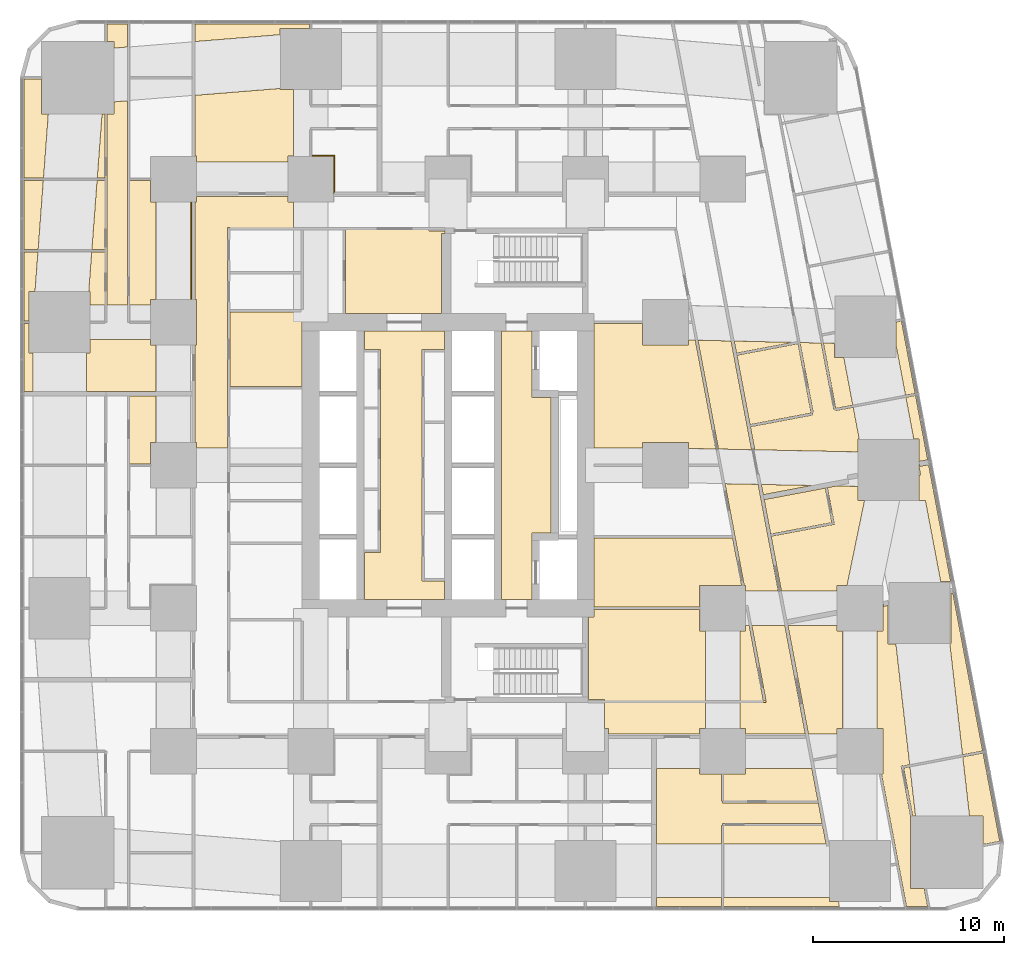
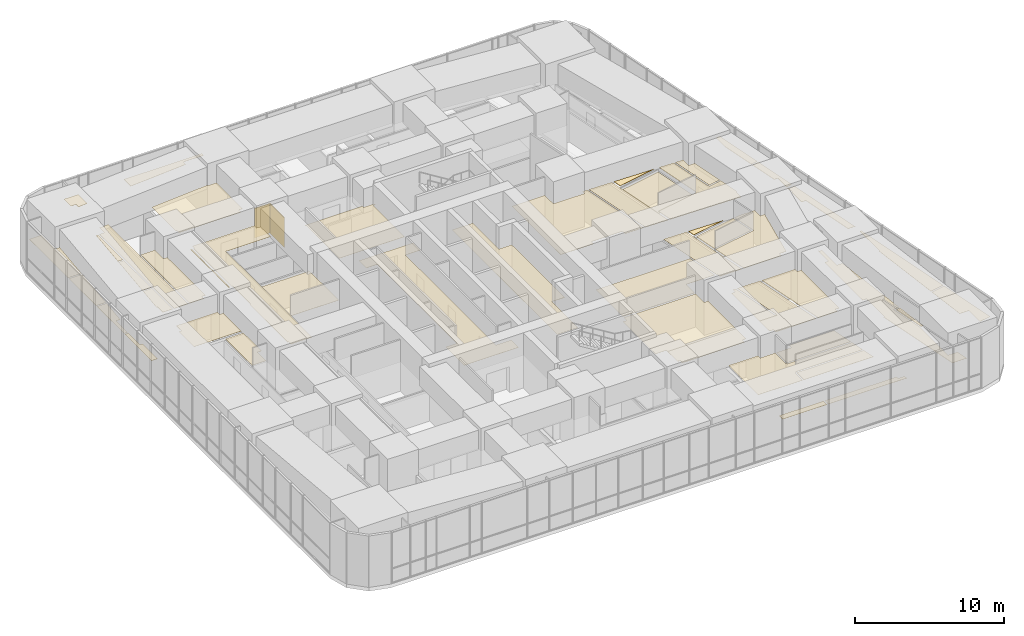
# One storey, part 22 of 23: 49 coverings.
"""IFC4 building model written with IfcOpenShell, lengths in metres."""

from ifc_helpers import new_model, si_unit, direction, frame, origin, place, context, subcontext, project, spatial, polyline, outline, extrude, material, layer, layer_set, type_object, element, save


model = new_model("IFC4")

# Units and contexts
model_context = context("Model", 3, precision=1e-05, world=origin(), true_north=direction((0.0, 1.0)))
body_context = subcontext(model_context, "Body", "Model", "MODEL_VIEW")
ifc_project = project(units=[si_unit("LENGTHUNIT", "METRE"), si_unit("AREAUNIT", "SQUARE_METRE"), si_unit("VOLUMEUNIT", "CUBIC_METRE"), si_unit("PLANEANGLEUNIT", "RADIAN"), si_unit("MASSUNIT", "GRAM", prefix="KILO")], contexts=[model_context])

# Site, building, storey
site_placement = place(None, origin())
site = spatial("IfcSite", under=ifc_project, at=site_placement, CompositionType="ELEMENT")
building_placement = place(site_placement, origin())
building = spatial("IfcBuilding", under=site, at=building_placement, Name="Sheger Commons Tower", CompositionType="ELEMENT")
storey_placement = place(building_placement, frame((0.0, 0.0, 5.60009765625)))
storey = spatial("IfcBuildingStorey", under=building, at=storey_placement, Name="L01", CompositionType="ELEMENT", Elevation=5.60009765625)

# Coverings
ifc_material_1 = material(Name="Moisture-resistant gypsum plasterboard 15 mm on a suspended galvanised steel grid", Category="steel")
ifc_layer_1 = layer(ifc_material_1, 0.014892578125)
ifc_layer_set_1 = layer_set([ifc_layer_1], Name="MOISTURE-RESISTANT CEILING 15")
covering_type_1 = type_object("IfcCoveringType", Name="MOISTURE-RESISTANT CEILING 15", PredefinedType="CEILING", material=ifc_layer_set_1)
covering_1_placement = place(storey_placement, frame((0.0, 0.0, 2.39990234375)))
element("IfcCovering", 1, at=covering_1_placement, inside=storey, type_object=covering_type_1, Name="L01-07.B1 ceiling", PredefinedType="CEILING", context=body_context, shape_type="SweptSolid", body=[
    extrude(outline(polyline([(37.43408203125, 24.6298828125), (40.64111328125, 25.236083984375), (39.952880859375, 28.876953125), (36.74609375, 28.27099609375), (37.43408203125, 24.6298828125)])), origin(), (0.0, 0.0, 1.0), 0.014892578125),
])
covering_2_placement = place(storey_placement, frame((0.0, 0.0, 2.39990234375)))
element("IfcCovering", 2, at=covering_2_placement, inside=storey, type_object=covering_type_1, Name="L01-SVW2b ceiling", PredefinedType="CEILING", context=body_context, shape_type="SweptSolid", body=[
    extrude(outline(polyline([(10.16796875, 26.616943359375), (13.949951171875, 26.616943359375), (13.949951171875, 29.544921875), (13.945068359375, 29.544921875), (13.945068359375, 30.455078125), (13.949951171875, 30.455078125), (13.949951171875, 30.60009765625), (13.89306640625, 30.60009765625), (13.89306640625, 30.532958984375), (10.16796875, 30.532958984375), (10.16796875, 26.616943359375)])), origin(), (0.0, 0.0, 1.0), 0.014892578125),
])
ifc_material_2 = material(Name="Gypsum plasterboard 15 mm on a suspended steel grid", Category="steel")
ifc_layer_2 = layer(ifc_material_2, 0.014892578125)
ifc_layer_set_2 = layer_set([ifc_layer_2], Name="SUSPENDED CEILING 15")
covering_type_2 = type_object("IfcCoveringType", Name="SUSPENDED CEILING 15", PredefinedType="CEILING", material=ifc_layer_set_2)
covering_3_placement = place(storey_placement, frame((0.0, 0.0, 2.699951171875)))
element("IfcCovering", 3, at=covering_3_placement, inside=storey, type_object=covering_type_2, Name="L01-02.B3 ceiling", PredefinedType="CEILING", context=body_context, shape_type="SweptSolid", body=[
    extrude(outline(polyline([(4.905029296875, 22.554931640625), (5.9951171875, 22.554931640625), (5.9951171875, 23.705078125), (6.294921875, 23.705078125), (6.294921875, 26.1201171875), (4.905029296875, 26.1201171875), (4.905029296875, 22.554931640625)])), origin(), (0.0, 0.0, 1.0), 0.014892578125),
])
covering_4_placement = place(storey_placement, frame((0.0, 0.0, 2.699951171875)))
element("IfcCovering", 4, at=covering_4_placement, inside=storey, type_object=covering_type_2, Name="L01-03.1 ceiling", PredefinedType="CEILING", context=body_context, shape_type="SweptSolid", body=[
    extrude(outline(polyline([(-0.64501953125, 26.3798828125), (-0.179931640625, 26.3798828125), (-0.179931640625, 28.39501953125), (-0.3798828125, 28.39501953125), (-0.3798828125, 29.945068359375), (-0.64501953125, 29.945068359375), (-0.64501953125, 26.3798828125)])), origin(), (0.0, 0.0, 1.0), 0.014892578125),
])
covering_5_placement = place(storey_placement, frame((0.0, 0.0, 2.699951171875)))
element("IfcCovering", 5, at=covering_5_placement, inside=storey, type_object=covering_type_2, Name="L01-03.1 ceiling", PredefinedType="CEILING", context=body_context, shape_type="SweptSolid", body=[
    extrude(outline(polyline([(2.6298828125, 26.3798828125), (6.294921875, 26.3798828125), (6.294921875, 28.794921875), (5.9951171875, 28.794921875), (5.9951171875, 29.094970703125), (2.830078125, 29.094970703125), (2.830078125, 28.39501953125), (2.6298828125, 28.39501953125), (2.6298828125, 26.3798828125)])), origin(), (0.0, 0.0, 1.0), 0.014892578125),
])
covering_6_placement = place(storey_placement, frame((0.0, 0.0, 2.699951171875)))
element("IfcCovering", 6, at=covering_6_placement, inside=storey, type_object=covering_type_2, Name="L01-03.1 ceiling", PredefinedType="CEILING", context=body_context, shape_type="SweptSolid", body=[
    extrude(outline(polyline([(3.705078125, 30.905029296875), (4.794921875, 30.905029296875), (4.794921875, 41.614990234375), (4.091064453125, 41.55810546875), (4.091064453125, 40.908935546875), (3.705078125, 40.908935546875), (3.705078125, 30.905029296875)])), origin(), (0.0, 0.0, 1.0), 0.014892578125),
])
covering_7_placement = place(storey_placement, frame((0.0, 0.0, 2.699951171875)))
element("IfcCovering", 7, at=covering_7_placement, inside=storey, type_object=covering_type_2, Name="L01-03.1 ceiling", PredefinedType="CEILING", context=body_context, shape_type="SweptSolid", body=[
    extrude(outline(polyline([(4.091064453125, 44.376953125), (4.794921875, 44.43408203125), (4.794921875, 45.64501953125), (3.705078125, 45.64501953125), (3.705078125, 44.718994140625), (4.091064453125, 44.718994140625), (4.091064453125, 44.376953125)])), origin(), (0.0, 0.0, 1.0), 0.014892578125),
])
covering_8_placement = place(storey_placement, frame((0.0, 0.0, 2.699951171875)))
element("IfcCovering", 8, at=covering_8_placement, inside=storey, type_object=covering_type_2, Name="L01-03.2 ceiling", PredefinedType="CEILING", context=body_context, shape_type="SweptSolid", body=[
    extrude(outline(polyline([(-0.64501953125, 30.054931640625), (-0.3798828125, 30.054931640625), (-0.3798828125, 31.60498046875), (-0.06396484375, 31.60498046875), (0.093017578125, 33.695068359375), (-0.64501953125, 33.695068359375), (-0.64501953125, 30.054931640625)])), origin(), (0.0, 0.0, 1.0), 0.014892578125),
])
covering_9_placement = place(storey_placement, frame((0.0, 0.0, 2.699951171875)))
element("IfcCovering", 9, at=covering_9_placement, inside=storey, type_object=covering_type_2, Name="L01-03.2 ceiling", PredefinedType="CEILING", context=body_context, shape_type="SweptSolid", body=[
    extrude(outline(polyline([(2.830078125, 30.905029296875), (3.594970703125, 30.905029296875), (3.594970703125, 33.695068359375), (2.910888671875, 33.695068359375), (2.75390625, 31.60498046875), (2.830078125, 31.60498046875), (2.830078125, 30.905029296875)])), origin(), (0.0, 0.0, 1.0), 0.014892578125),
])
covering_10_placement = place(storey_placement, frame((0.0, 0.0, 2.699951171875)))
element("IfcCovering", 10, at=covering_10_placement, inside=storey, type_object=covering_type_2, Name="L01-03.3 ceiling", PredefinedType="CEILING", context=body_context, shape_type="SweptSolid", body=[
    extrude(outline(polyline([(-0.64501953125, 33.804931640625), (0.10107421875, 33.804931640625), (0.3740234375, 37.445068359375), (-0.64501953125, 37.445068359375), (-0.64501953125, 33.804931640625)])), origin(), (0.0, 0.0, 1.0), 0.014892578125),
])
covering_11_placement = place(storey_placement, frame((0.0, 0.0, 2.699951171875)))
element("IfcCovering", 11, at=covering_11_placement, inside=storey, type_object=covering_type_2, Name="L01-03.3 ceiling", PredefinedType="CEILING", context=body_context, shape_type="SweptSolid", body=[
    extrude(outline(polyline([(2.9189453125, 33.804931640625), (3.594970703125, 33.804931640625), (3.594970703125, 37.445068359375), (3.19189453125, 37.445068359375), (2.9189453125, 33.804931640625)])), origin(), (0.0, 0.0, 1.0), 0.014892578125),
])
covering_12_placement = place(storey_placement, frame((0.0, 0.0, 2.699951171875)))
element("IfcCovering", 12, at=covering_12_placement, inside=storey, type_object=covering_type_2, Name="L01-03.4 ceiling", PredefinedType="CEILING", context=body_context, shape_type="SweptSolid", body=[
    extrude(outline(polyline([(-0.64501953125, 37.554931640625), (0.383056640625, 37.554931640625), (0.634033203125, 40.908935546875), (0.281005859375, 40.908935546875), (0.281005859375, 42.759033203125), (-0.64501953125, 42.759033203125), (-0.64501953125, 37.554931640625)])), origin(), (0.0, 0.0, 1.0), 0.014892578125),
])
covering_13_placement = place(storey_placement, frame((0.0, 0.0, 2.699951171875)))
element("IfcCovering", 13, at=covering_13_placement, inside=storey, type_object=covering_type_2, Name="L01-03.4 ceiling", PredefinedType="CEILING", context=body_context, shape_type="SweptSolid", body=[
    extrude(outline(polyline([(3.200927734375, 37.554931640625), (3.594970703125, 37.554931640625), (3.594970703125, 40.908935546875), (3.451904296875, 40.908935546875), (3.200927734375, 37.554931640625)])), origin(), (0.0, 0.0, 1.0), 0.014892578125),
])
covering_14_placement = place(storey_placement, frame((0.0, 0.0, 2.699951171875)))
element("IfcCovering", 14, at=covering_14_placement, inside=storey, type_object=covering_type_2, Name="L01-03.B1 ceiling", PredefinedType="CEILING", context=body_context, shape_type="SweptSolid", body=[
    extrude(outline(polyline([(4.905029296875, 30.905029296875), (5.9951171875, 30.905029296875), (5.9951171875, 31.205078125), (6.294921875, 31.205078125), (6.294921875, 36.294921875), (5.9951171875, 36.294921875), (5.9951171875, 37.445068359375), (4.905029296875, 37.445068359375), (4.905029296875, 30.905029296875)])), origin(), (0.0, 0.0, 1.0), 0.014892578125),
])
covering_15_placement = place(storey_placement, frame((0.0, 0.0, 2.699951171875)))
element("IfcCovering", 15, at=covering_15_placement, inside=storey, type_object=covering_type_2, Name="L01-03.B1 ceiling", PredefinedType="CEILING", context=body_context, shape_type="SweptSolid", body=[
    extrude(outline(polyline([(8.10498046875, 31.205078125), (8.169921875, 31.205078125), (8.169921875, 36.294921875), (8.10498046875, 36.294921875), (8.10498046875, 31.205078125)])), origin(), (0.0, 0.0, 1.0), 0.014892578125),
])
covering_16_placement = place(storey_placement, frame((0.0, 0.0, 2.699951171875)))
element("IfcCovering", 16, at=covering_16_placement, inside=storey, type_object=covering_type_2, Name="L01-06.1 ceiling", PredefinedType="CEILING", context=body_context, shape_type="SweptSolid", body=[
    extrude(outline(polyline([(32.530029296875, -0.64501953125), (35.945068359375, -0.64501953125), (35.945068359375, -0.179931640625), (32.530029296875, -0.179931640625), (32.530029296875, -0.64501953125)])), origin(), (0.0, 0.0, 1.0), 0.014892578125),
])
covering_17_placement = place(storey_placement, frame((0.0, 0.0, 2.699951171875)))
element("IfcCovering", 17, at=covering_17_placement, inside=storey, type_object=covering_type_2, Name="L01-06.1 ceiling", PredefinedType="CEILING", context=body_context, shape_type="SweptSolid", body=[
    extrude(outline(polyline([(32.530029296875, 2.6298828125), (35.945068359375, 2.6298828125), (35.945068359375, 3.60498046875), (35.9951171875, 3.60498046875), (35.9951171875, 3.705078125), (41.222900390625, 3.705078125), (41.009033203125, 4.8359375), (41.007080078125, 4.8349609375), (41.007080078125, 4.794921875), (35.9951171875, 4.794921875), (35.9951171875, 4.89501953125), (35.945068359375, 4.89501953125), (35.945068359375, 6.294921875), (34.794921875, 6.294921875), (34.794921875, 6.594970703125), (32.530029296875, 6.594970703125), (32.530029296875, 2.6298828125)])), origin(), (0.0, 0.0, 1.0), 0.014892578125),
])
covering_18_placement = place(storey_placement, frame((0.0, 0.0, 2.699951171875)))
element("IfcCovering", 18, at=covering_18_placement, inside=storey, type_object=covering_type_2, Name="L01-06.2 ceiling", PredefinedType="CEILING", context=body_context, shape_type="SweptSolid", body=[
    extrude(outline(polyline([(36.054931640625, -0.64501953125), (42.1259765625, -0.64501953125), (42.075927734375, -0.3798828125), (41.594970703125, -0.3798828125), (41.594970703125, -0.179931640625), (36.054931640625, -0.179931640625), (36.054931640625, -0.64501953125)])), origin(), (0.0, 0.0, 1.0), 0.014892578125),
])
covering_19_placement = place(storey_placement, frame((0.0, 0.0, 2.699951171875)))
element("IfcCovering", 19, at=covering_19_placement, inside=storey, type_object=covering_type_2, Name="L01-06.2 ceiling", PredefinedType="CEILING", context=body_context, shape_type="SweptSolid", body=[
    extrude(outline(polyline([(36.054931640625, 2.6298828125), (41.426025390625, 2.6298828125), (41.236083984375, 3.634033203125), (41.23388671875, 3.634033203125), (41.23388671875, 3.594970703125), (36.054931640625, 3.594970703125), (36.054931640625, 2.6298828125)])), origin(), (0.0, 0.0, 1.0), 0.014892578125),
])
covering_20_placement = place(storey_placement, frame((0.0, 0.0, 2.699951171875)))
element("IfcCovering", 20, at=covering_20_placement, inside=storey, type_object=covering_type_2, Name="L01-06.B1 ceiling", PredefinedType="CEILING", context=body_context, shape_type="SweptSolid", body=[
    extrude(outline(polyline([(36.054931640625, 4.905029296875), (40.99609375, 4.905029296875), (40.677001953125, 6.594970703125), (37.205078125, 6.594970703125), (37.205078125, 6.294921875), (36.054931640625, 6.294921875), (36.054931640625, 4.905029296875)])), origin(), (0.0, 0.0, 1.0), 0.014892578125),
])
covering_21_placement = place(storey_placement, frame((0.0, 0.0, 2.699951171875)))
element("IfcCovering", 21, at=covering_21_placement, inside=storey, type_object=covering_type_2, Name="L01-07.1 ceiling", PredefinedType="CEILING", context=body_context, shape_type="SweptSolid", body=[
    extrude(outline(polyline([(38.1279296875, 20.9541015625), (40.68701171875, 21.43701171875), (40.68701171875, 21.43896484375), (38.02587890625, 21.492919921875), (38.1279296875, 20.9541015625)])), origin(), (0.0, 0.0, 1.0), 0.014892578125),
])
covering_22_placement = place(storey_placement, frame((0.0, 0.0, 2.699951171875)))
element("IfcCovering", 22, at=covering_22_placement, inside=storey, type_object=covering_type_2, Name="L01-07.1 ceiling", PredefinedType="CEILING", context=body_context, shape_type="SweptSolid", body=[
    extrude(outline(polyline([(46.302001953125, 22.698974609375), (46.7529296875, 22.783935546875), (46.363037109375, 24.85107421875), (46.35693359375, 24.85107421875), (46.35693359375, 24.87890625), (46.115966796875, 26.157958984375), (45.60888671875, 26.06201171875), (46.02392578125, 23.867919921875), (46.302001953125, 23.867919921875), (46.302001953125, 22.698974609375)])), origin(), (0.0, 0.0, 1.0), 0.014892578125),
])
covering_23_placement = place(storey_placement, frame((0.0, 0.0, 2.699951171875)))
element("IfcCovering", 23, at=covering_23_placement, inside=storey, type_object=covering_type_2, Name="L01-07.1 ceiling", PredefinedType="CEILING", context=body_context, shape_type="SweptSolid", body=[
    extrude(outline(polyline([(43.092041015625, 23.200927734375), (43.092041015625, 23.867919921875), (43.1640625, 23.867919921875), (42.847900390625, 25.541015625), (41.889892578125, 25.360107421875), (41.8720703125, 25.4580078125), (41.822998046875, 25.448974609375), (41.1689453125, 28.909912109375), (40.053955078125, 28.93505859375), (40.7509765625, 25.24609375), (40.702880859375, 25.237060546875), (40.720947265625, 25.138916015625), (37.4541015625, 24.52197265625), (37.68310546875, 23.31005859375), (43.092041015625, 23.200927734375)])), origin(), (0.0, 0.0, 1.0), 0.014892578125),
])
covering_24_placement = place(storey_placement, frame((0.0, 0.0, 2.699951171875)))
element("IfcCovering", 24, at=covering_24_placement, inside=storey, type_object=covering_type_2, Name="L01-07.2 ceiling", PredefinedType="CEILING", context=body_context, shape_type="SweptSolid", body=[
    extrude(outline(polyline([(41.928955078125, 25.47900390625), (42.826904296875, 25.64892578125), (42.35302734375, 28.157958984375), (41.875, 28.157958984375), (41.875, 28.89404296875), (41.281005859375, 28.906982421875), (41.928955078125, 25.47900390625)])), origin(), (0.0, 0.0, 1.0), 0.014892578125),
])
covering_25_placement = place(storey_placement, frame((0.0, 0.0, 2.699951171875)))
element("IfcCovering", 25, at=covering_25_placement, inside=storey, type_object=covering_type_2, Name="L01-07.2 ceiling", PredefinedType="CEILING", context=body_context, shape_type="SweptSolid", body=[
    extrude(outline(polyline([(45.589111328125, 26.169921875), (46.094970703125, 26.26611328125), (45.6640625, 28.549072265625), (45.658935546875, 28.549072265625), (45.658935546875, 28.575927734375), (45.376953125, 30.06591796875), (45.094970703125, 30.012939453125), (45.0869140625, 30.055908203125), (45.0849609375, 30.055908203125), (45.0849609375, 28.8359375), (45.589111328125, 26.169921875)])), origin(), (0.0, 0.0, 1.0), 0.014892578125),
])
covering_26_placement = place(storey_placement, frame((0.0, 0.0, 2.699951171875)))
element("IfcCovering", 26, at=covering_26_placement, inside=storey, type_object=covering_type_2, Name="L01-07.B2 ceiling", PredefinedType="CEILING", context=body_context, shape_type="SweptSolid", body=[
    extrude(outline(polyline([(36.72607421875, 28.37890625), (39.700927734375, 28.94091796875), (39.700927734375, 28.943115234375), (36.60595703125, 29.012939453125), (36.72607421875, 28.37890625)])), origin(), (0.0, 0.0, 1.0), 0.014892578125),
])
covering_27_placement = place(storey_placement, frame((0.0, 0.0, 2.699951171875)))
element("IfcCovering", 27, at=covering_27_placement, inside=storey, type_object=covering_type_2, Name="L01-08.1 ceiling", PredefinedType="CEILING", context=body_context, shape_type="SweptSolid", body=[
    extrude(outline(polyline([(39.0810546875, 15.905029296875), (41.9951171875, 15.905029296875), (41.9951171875, 16.205078125), (42.52392578125, 16.205078125), (43.44189453125, 20.657958984375), (43.092041015625, 20.657958984375), (43.092041015625, 21.389892578125), (41.9609375, 21.4130859375), (41.491943359375, 21.324951171875), (41.8369140625, 19.501953125), (41.85498046875, 19.404052734375), (38.5390625, 18.778076171875), (39.0810546875, 15.905029296875)])), origin(), (0.0, 0.0, 1.0), 0.014892578125),
])
covering_28_placement = place(storey_placement, frame((0.0, 0.0, 2.699951171875)))
element("IfcCovering", 28, at=covering_28_placement, inside=storey, type_object=covering_type_2, Name="L01-08.1 ceiling", PredefinedType="CEILING", context=body_context, shape_type="SweptSolid", body=[
    extrude(outline(polyline([(47.962890625, 16.368896484375), (47.965087890625, 16.368896484375), (47.759033203125, 17.4560546875), (47.75390625, 17.4560546875), (47.75390625, 17.48388671875), (47.06103515625, 21.154052734375), (47.055908203125, 21.154052734375), (47.055908203125, 21.180908203125), (46.801025390625, 22.528076171875), (46.340087890625, 22.44091796875), (46.31591796875, 22.569091796875), (46.302001953125, 22.56591796875), (46.302001953125, 22.39501953125), (46.486083984375, 21.4208984375), (46.465087890625, 21.531982421875), (46.486083984375, 21.4189453125), (46.3779296875, 21.992919921875), (46.368896484375, 21.9951171875), (46.35791015625, 21.9970703125), (46.347900390625, 21.9970703125), (46.3369140625, 21.9970703125), (46.325927734375, 21.9951171875), (46.31494140625, 21.992919921875), (46.304931640625, 21.989013671875), (46.297119140625, 21.985107421875), (46.297119140625, 20.6630859375), (46.62890625, 20.6630859375), (47.431884765625, 16.4130859375), (47.9189453125, 16.4130859375), (47.948974609375, 16.39794921875), (47.962890625, 16.368896484375)])), origin(), (0.0, 0.0, 1.0), 0.014892578125),
])
covering_29_placement = place(storey_placement, frame((0.0, 0.0, 2.699951171875)))
element("IfcCovering", 29, at=covering_29_placement, inside=storey, type_object=covering_type_2, Name="L01-08.B1 ceiling", PredefinedType="CEILING", context=body_context, shape_type="SweptSolid", body=[
    extrude(outline(polyline([(38.51806640625, 18.885986328125), (41.72705078125, 19.491943359375), (41.384033203125, 21.303955078125), (38.176025390625, 20.697998046875), (38.51806640625, 18.885986328125)])), origin(), (0.0, 0.0, 1.0), 0.014892578125),
])
covering_30_placement = place(storey_placement, frame((0.0, 0.0, 2.699951171875)))
element("IfcCovering", 30, at=covering_30_placement, inside=storey, type_object=covering_type_2, Name="L01-09.1 ceiling", PredefinedType="CEILING", context=body_context, shape_type="SweptSolid", body=[
    extrude(outline(polyline([(45.64208984375, -0.64501953125), (46.7509765625, -0.64501953125), (46.575927734375, 0.281982421875), (46.618896484375, 0.2900390625), (46.618896484375, 0.2919921875), (45.843017578125, 0.2919921875), (45.843017578125, 4.10205078125), (45.85400390625, 4.10205078125), (45.35791015625, 6.73193359375), (45.466064453125, 6.751953125), (45.469970703125, 6.72900390625), (45.80908203125, 6.79296875), (45.087890625, 13.113037109375), (44.714111328125, 13.113037109375), (44.68603515625, 13.12109375), (44.669921875, 13.138916015625), (44.6640625, 13.1630859375), (44.6640625, 15.14404296875), (44.443115234375, 15.10205078125), (44.4189453125, 15.22998046875), (44.405029296875, 15.22705078125), (44.405029296875, 13.794921875), (44.10498046875, 13.794921875), (44.10498046875, 8.705078125), (44.405029296875, 8.705078125), (44.405029296875, 6.294921875), (44.33203125, 6.294921875), (45.64208984375, -0.64501953125)])), origin(), (0.0, 0.0, 1.0), 0.014892578125),
])
covering_31_placement = place(storey_placement, frame((0.0, 0.0, 2.699951171875)))
element("IfcCovering", 31, at=covering_31_placement, inside=storey, type_object=covering_type_2, Name="L01-09.1 ceiling", PredefinedType="CEILING", context=body_context, shape_type="SweptSolid", body=[
    extrude(outline(polyline([(48.577880859375, 7.31591796875), (49.636962890625, 7.51611328125), (49.156005859375, 10.06103515625), (49.15087890625, 10.06103515625), (49.15087890625, 10.087890625), (48.4580078125, 13.758056640625), (48.452880859375, 13.758056640625), (48.452880859375, 13.785888671875), (48.073974609375, 15.7880859375), (47.964111328125, 15.76806640625), (47.964111328125, 13.1630859375), (47.952880859375, 13.131103515625), (47.924072265625, 13.114013671875), (47.916015625, 13.114013671875), (48.577880859375, 7.31591796875)])), origin(), (0.0, 0.0, 1.0), 0.014892578125),
])
covering_32_placement = place(storey_placement, frame((0.0, 0.0, 2.699951171875)))
element("IfcCovering", 32, at=covering_32_placement, inside=storey, type_object=covering_type_2, Name="L01-09.1 ceiling", PredefinedType="CEILING", context=body_context, shape_type="SweptSolid", body=[
    extrude(outline(polyline([(40.498046875, 8.405029296875), (41.9951171875, 8.405029296875), (41.9951171875, 8.705078125), (42.294921875, 8.705078125), (42.294921875, 13.794921875), (41.9951171875, 13.794921875), (41.9951171875, 14.094970703125), (39.423095703125, 14.094970703125), (40.498046875, 8.405029296875)])), origin(), (0.0, 0.0, 1.0), 0.014892578125),
])
covering_33_placement = place(storey_placement, frame((0.0, 0.0, 2.699951171875)))
element("IfcCovering", 33, at=covering_33_placement, inside=storey, type_object=covering_type_2, Name="L01-09.2 ceiling", PredefinedType="CEILING", context=body_context, shape_type="SweptSolid", body=[
    extrude(outline(polyline([(49.64794921875, 2.612060546875), (50.531982421875, 2.779052734375), (49.85498046875, 6.363037109375), (49.85009765625, 6.363037109375), (49.85009765625, 6.39111328125), (49.656982421875, 7.407958984375), (48.590087890625, 7.20703125), (48.945068359375, 4.096923828125), (49.64794921875, 4.096923828125), (49.64794921875, 2.612060546875)])), origin(), (0.0, 0.0, 1.0), 0.014892578125),
])
covering_34_placement = place(storey_placement, frame((0.0, 0.0, 2.699951171875)))
element("IfcCovering", 34, at=covering_34_placement, inside=storey, type_object=covering_type_2, Name="L01-09.2 ceiling", PredefinedType="CEILING", context=body_context, shape_type="SweptSolid", body=[
    extrude(outline(polyline([(45.910888671875, 4.096923828125), (46.116943359375, 4.096923828125), (45.822021484375, 6.68408203125), (45.490966796875, 6.62109375), (45.964111328125, 4.112060546875), (45.909912109375, 4.10205078125), (45.910888671875, 4.096923828125)])), origin(), (0.0, 0.0, 1.0), 0.014892578125),
])
covering_35_placement = place(storey_placement, frame((0.0, 0.0, 2.699951171875)))
element("IfcCovering", 35, at=covering_35_placement, inside=storey, type_object=covering_type_2, Name="L01-10.1 ceiling", PredefinedType="CEILING", context=body_context, shape_type="SweptSolid", body=[
    extrude(outline(polyline([(8.405029296875, 38.405029296875), (13.195068359375, 38.405029296875), (13.195068359375, 38.705078125), (13.4951171875, 38.705078125), (13.4951171875, 42.195068359375), (12.794921875, 42.195068359375), (12.794921875, 42.260986328125), (8.330078125, 41.89990234375), (8.330078125, 38.705078125), (8.405029296875, 38.705078125), (8.405029296875, 38.405029296875)])), origin(), (0.0, 0.0, 1.0), 0.014892578125),
])
covering_36_placement = place(storey_placement, frame((0.0, 0.0, 2.699951171875)))
element("IfcCovering", 36, at=covering_36_placement, inside=storey, type_object=covering_type_2, Name="L01-10.1 ceiling", PredefinedType="CEILING", context=body_context, shape_type="SweptSolid", body=[
    extrude(outline(polyline([(8.330078125, 44.719970703125), (12.794921875, 45.080078125), (12.794921875, 45.405029296875), (14.344970703125, 45.405029296875), (14.344970703125, 45.64501953125), (8.330078125, 45.64501953125), (8.330078125, 44.719970703125)])), origin(), (0.0, 0.0, 1.0), 0.014892578125),
])
covering_37_placement = place(storey_placement, frame((0.0, 0.0, 2.699951171875)))
element("IfcCovering", 37, at=covering_37_placement, inside=storey, type_object=covering_type_2, Name="L01-CO ceiling", PredefinedType="CEILING", context=body_context, shape_type="SweptSolid", body=[
    extrude(outline(polyline([(30.0048828125, 8.405029296875), (34.794921875, 8.405029296875), (34.794921875, 8.705078125), (35.094970703125, 8.705078125), (35.094970703125, 10.050048828125), (29.804931640625, 10.050048828125), (29.804931640625, 8.705078125), (30.0048828125, 8.705078125), (30.0048828125, 8.405029296875)])), origin(), (0.0, 0.0, 1.0), 0.014892578125),
])
covering_38_placement = place(storey_placement, frame((0.0, 0.0, 2.699951171875)))
element("IfcCovering", 38, at=covering_38_placement, inside=storey, type_object=covering_type_2, Name="L01-CO ceiling", PredefinedType="CEILING", context=body_context, shape_type="SweptSolid", body=[
    extrude(outline(polyline([(37.205078125, 8.405029296875), (40.3349609375, 8.405029296875), (39.260009765625, 14.094970703125), (37.528076171875, 14.094970703125), (38.26904296875, 10.1708984375), (38.251953125, 10.1669921875), (38.27392578125, 10.050048828125), (36.905029296875, 10.050048828125), (36.905029296875, 8.705078125), (37.205078125, 8.705078125), (37.205078125, 8.405029296875)])), origin(), (0.0, 0.0, 1.0), 0.014892578125),
])
covering_39_placement = place(storey_placement, frame((0.0, 0.0, 2.699951171875)))
element("IfcCovering", 39, at=covering_39_placement, inside=storey, type_object=covering_type_2, Name="L01-CO ceiling", PredefinedType="CEILING", context=body_context, shape_type="SweptSolid", body=[
    extrude(outline(polyline([(37.205078125, 15.905029296875), (38.9189453125, 15.905029296875), (37.863037109375, 21.49609375), (36.123046875, 21.531982421875), (37.1259765625, 16.220947265625), (37.10888671875, 16.217041015625), (37.111083984375, 16.205078125), (37.205078125, 16.205078125), (37.205078125, 15.905029296875)])), origin(), (0.0, 0.0, 1.0), 0.014892578125),
])
covering_40_placement = place(storey_placement, frame((0.0, 0.0, 2.699951171875)))
element("IfcCovering", 40, at=covering_40_placement, inside=storey, type_object=covering_type_2, Name="L01-CO ceiling", PredefinedType="CEILING", context=body_context, shape_type="SweptSolid", body=[
    extrude(outline(polyline([(37.51904296875, 23.31396484375), (36.44189453125, 29.01708984375), (34.701904296875, 29.055908203125), (35.780029296875, 23.34912109375), (37.51904296875, 23.31396484375)])), origin(), (0.0, 0.0, 1.0), 0.014892578125),
])
covering_41_placement = place(storey_placement, frame((0.0, 0.0, 2.699951171875)))
element("IfcCovering", 41, at=covering_41_placement, inside=storey, type_object=covering_type_2, Name="L01-CO ceiling", PredefinedType="CEILING", context=body_context, shape_type="SweptSolid", body=[
    extrude(outline(polyline([(8.405029296875, 23.405029296875), (10.031982421875, 23.405029296875), (10.031982421875, 34.955078125), (10.16796875, 34.955078125), (10.16796875, 34.949951171875), (13.4951171875, 34.949951171875), (13.4951171875, 36.294921875), (13.195068359375, 36.294921875), (13.195068359375, 36.594970703125), (8.405029296875, 36.594970703125), (8.405029296875, 36.294921875), (8.330078125, 36.294921875), (8.330078125, 31.205078125), (8.405029296875, 31.205078125), (8.405029296875, 28.794921875), (8.330078125, 28.794921875), (8.330078125, 23.705078125), (8.405029296875, 23.705078125), (8.405029296875, 23.405029296875)])), origin(), (0.0, 0.0, 1.0), 0.014892578125),
])
covering_42_placement = place(storey_placement, frame((0.0, 0.0, 2.699951171875)))
element("IfcCovering", 42, at=covering_42_placement, inside=storey, type_object=covering_type_2, Name="L01-SVN1 ceiling", PredefinedType="CEILING", context=body_context, shape_type="SweptSolid", body=[
    extrude(outline(polyline([(16.217041015625, 30.455078125), (21.2451171875, 30.455078125), (21.2451171875, 34.655029296875), (21.445068359375, 34.655029296875), (21.445068359375, 34.794921875), (20.594970703125, 34.794921875), (20.594970703125, 34.949951171875), (16.14990234375, 34.949951171875), (16.14990234375, 34.842041015625), (16.217041015625, 34.842041015625), (16.217041015625, 30.455078125)])), origin(), (0.0, 0.0, 1.0), 0.014892578125),
])
covering_43_placement = place(storey_placement, frame((0.0, 0.0, 2.699951171875)))
element("IfcCovering", 43, at=covering_43_placement, inside=storey, type_object=covering_type_2, Name="L01-SVE0 ceiling", PredefinedType="CEILING", context=body_context, shape_type="SweptSolid", body=[
    extrude(outline(polyline([(29.804931640625, 10.050048828125), (35.094970703125, 10.050048828125), (35.094970703125, 13.794921875), (34.794921875, 13.794921875), (34.794921875, 14.931884765625), (29.2548828125, 14.931884765625), (29.2548828125, 14.544921875), (28.955078125, 14.544921875), (28.955078125, 10.205078125), (29.804931640625, 10.205078125), (29.804931640625, 10.050048828125)])), origin(), (0.0, 0.0, 1.0), 0.014892578125),
])
covering_44_placement = place(storey_placement, frame((0.0, 0.0, 2.699951171875)))
element("IfcCovering", 44, at=covering_44_placement, inside=storey, type_object=covering_type_2, Name="L01-SVE0 ceiling", PredefinedType="CEILING", context=body_context, shape_type="SweptSolid", body=[
    extrude(outline(polyline([(36.905029296875, 10.050048828125), (38.27392578125, 10.050048828125), (38.251953125, 10.1669921875), (38.136962890625, 10.14599609375), (37.39111328125, 14.094970703125), (37.205078125, 14.094970703125), (37.205078125, 13.794921875), (36.905029296875, 13.794921875), (36.905029296875, 10.050048828125)])), origin(), (0.0, 0.0, 1.0), 0.014892578125),
])
covering_45_placement = place(storey_placement, frame((0.0, 0.0, 2.699951171875)))
element("IfcCovering", 45, at=covering_45_placement, inside=storey, type_object=covering_type_2, Name="L01-SVE2 ceiling", PredefinedType="CEILING", context=body_context, shape_type="SweptSolid", body=[
    extrude(outline(polyline([(35.64208984375, 23.35205078125), (34.56396484375, 29.05908203125), (34.205078125, 29.068115234375), (34.205078125, 28.794921875), (31.794921875, 28.794921875), (31.794921875, 29.93310546875), (29.2548828125, 29.93310546875), (29.2548828125, 23.405029296875), (31.794921875, 23.405029296875), (31.794921875, 23.705078125), (34.205078125, 23.705078125), (34.205078125, 23.381103515625), (35.64208984375, 23.35205078125)])), origin(), (0.0, 0.0, 1.0), 0.014892578125),
])
covering_46_placement = place(storey_placement, frame((0.0, 0.0, 2.699951171875)))
element("IfcCovering", 46, at=covering_46_placement, inside=storey, type_object=covering_type_2, Name="L01-SVE1 ceiling", PredefinedType="CEILING", context=body_context, shape_type="SweptSolid", body=[
    extrude(outline(polyline([(29.2548828125, 15.068115234375), (34.794921875, 15.068115234375), (34.794921875, 16.205078125), (36.991943359375, 16.205078125), (36.511962890625, 18.7451171875), (36.510009765625, 18.7451171875), (36.510009765625, 18.68310546875), (29.2548828125, 18.68310546875), (29.2548828125, 15.068115234375)])), origin(), (0.0, 0.0, 1.0), 0.014892578125),
])
covering_47_placement = place(storey_placement, frame((0.0, 0.0, 2.699951171875)))
element("IfcCovering", 47, at=covering_47_placement, inside=storey, type_object=covering_type_2, Name="L01-LL ceiling", PredefinedType="CEILING", context=body_context, shape_type="SweptSolid", body=[
    extrude(outline(polyline([(17.205078125, 15.455078125), (21.39990234375, 15.455078125), (21.39990234375, 16.43310546875), (20.35791015625, 16.43310546875), (20.23291015625, 16.43310546875), (20.23291015625, 28.56689453125), (20.35791015625, 28.56689453125), (21.39990234375, 28.56689453125), (21.39990234375, 29.544921875), (17.205078125, 29.544921875), (17.205078125, 28.56689453125), (17.943115234375, 28.56689453125), (18.06689453125, 28.56689453125), (18.06689453125, 17.93310546875), (17.943115234375, 17.93310546875), (17.205078125, 17.93310546875), (17.205078125, 15.455078125)])), origin(), (0.0, 0.0, 1.0), 0.014892578125),
])
covering_48_placement = place(storey_placement, frame((0.0, 0.0, 2.699951171875)))
element("IfcCovering", 48, at=covering_48_placement, inside=storey, type_object=covering_type_2, Name="L01-FL ceiling", PredefinedType="CEILING", context=body_context, shape_type="SweptSolid", body=[
    extrude(outline(polyline([(24.405029296875, 15.455078125), (25.9951171875, 15.455078125), (25.9951171875, 18.955078125), (26.9951171875, 18.955078125), (26.9951171875, 26.044921875), (25.9951171875, 26.044921875), (25.9951171875, 29.544921875), (24.405029296875, 29.544921875), (24.405029296875, 15.455078125)])), origin(), (0.0, 0.0, 1.0), 0.014892578125),
])
ifc_material_3 = material(Name="Moisture-resistant gypsum board 12.5 mm on 25 mm treated timber battens, tanked and tiled", Category="wood")
ifc_layer_3 = layer(ifc_material_3, 0.050048828125)
ifc_layer_set_3 = layer_set([ifc_layer_3], Name="WET-ROOM COLUMN LINING")
covering_type_3 = type_object("IfcCoveringType", Name="WET-ROOM COLUMN LINING", PredefinedType="CLADDING", material=ifc_layer_set_3)
covering_49_placement = place(storey_placement, origin())
element("IfcCovering", 49, at=covering_49_placement, inside=storey, type_object=covering_type_3, Name="Patient WC column lining C5 L01", PredefinedType="CLADDING", context=body_context, shape_type="SweptSolid", body=[
    extrude(outline(polyline([(15.64990234375, 36.824951171875), (15.60107421875, 36.824951171875), (15.60107421875, 36.75), (15.60009765625, 36.75), (15.60009765625, 38.699951171875), (14.39990234375, 38.699951171875), (14.39990234375, 38.700927734375), (14.449951171875, 38.700927734375), (14.449951171875, 38.75), (15.64990234375, 38.75), (15.64990234375, 36.824951171875)])), origin(), (0.0, 0.0, 1.0), 2.39990234375),
])

save(model, "model.ifc")
